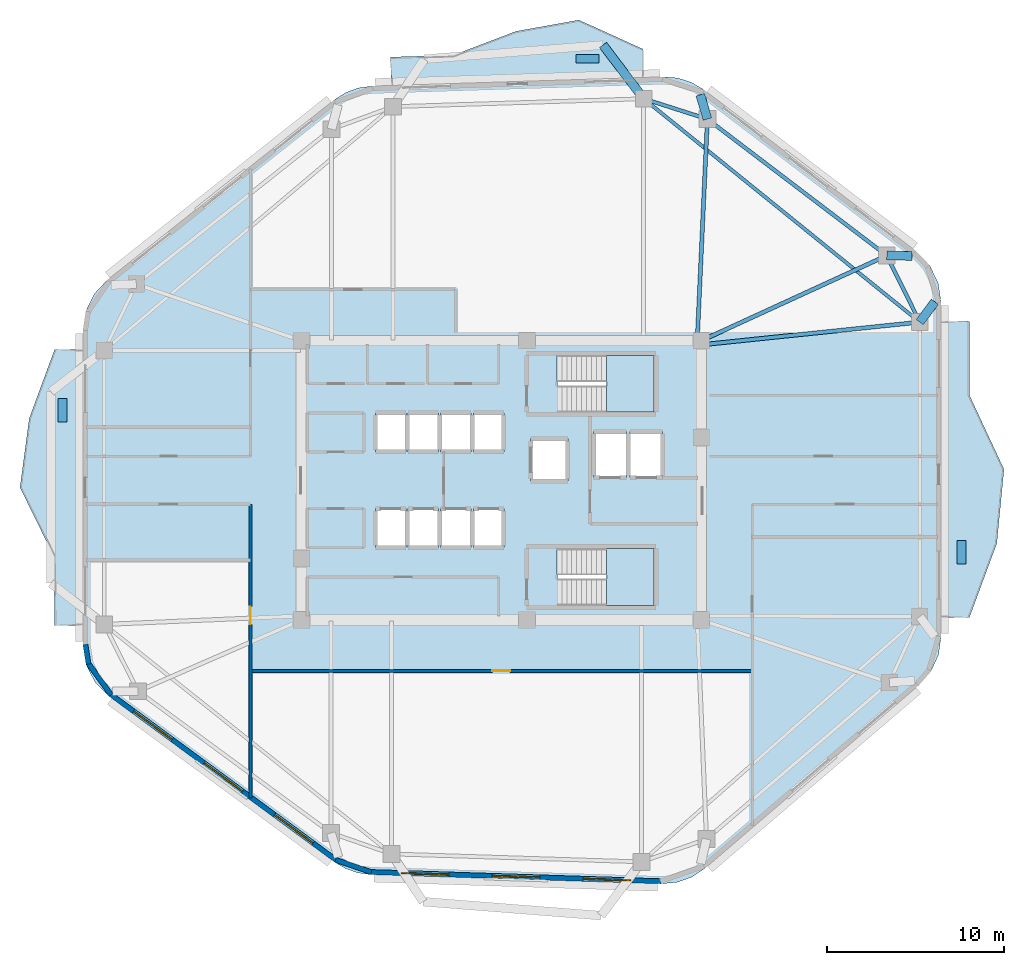
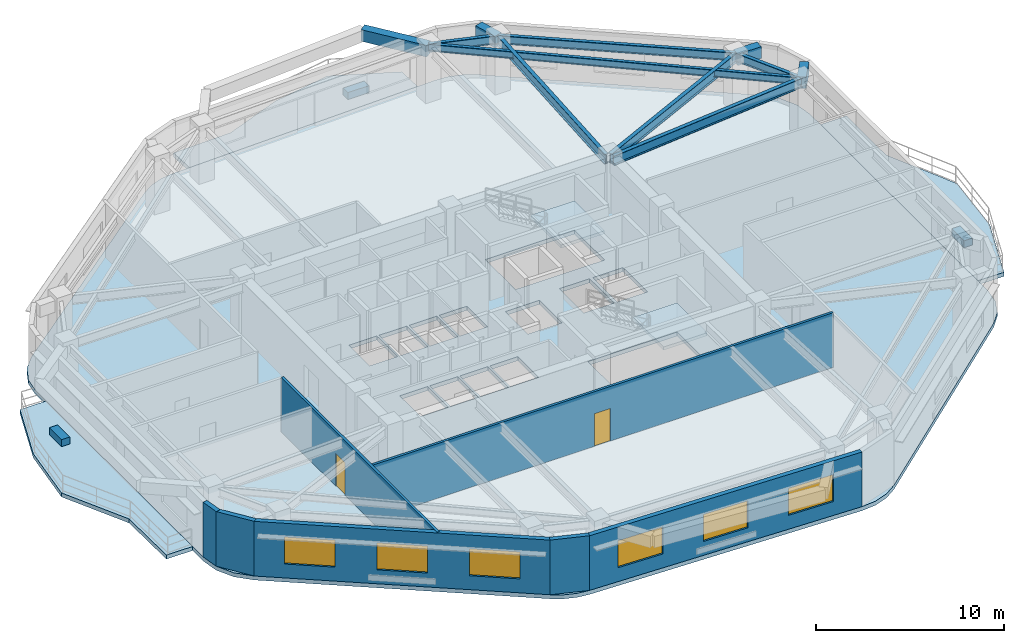
# One storey, part 2 of 8: 11 beams, 7 walls, 6 slabs, 6 windows, 3 plates, 2 doors, 8 openings, 2 elements without a shape of their own.
"""IFC4 building model written with IfcOpenShell, lengths in metres."""

import ifcopenshell
import ifcopenshell.guid

model = None  # the IFC model being written
_history = None  # IfcOwnerHistory: only IFC2X3 demands one
_inside = {}  # id of a spatial element -> (the spatial element, [elements in it])
_under = {}  # id of a project, library or spatial element -> (it, [spatial elements below it])
_declared = {}  # id of a project -> (the project, [libraries it declares])
_typed = {}  # id of a type object -> (the type object, [elements of that type])
_made_of = {}  # id of a material, layer set ... -> (it, [elements and type objects made of it])


def new_model(schema):
    """Start an empty IFC model of exactly this schema.

    Asked for "IFC4X3", IfcOpenShell would pick the latest addendum, in which some entities
    have other attributes; the version numbers below select the first issue.
    IFC2X3 requires an IfcOwnerHistory on every rooted entity: one is made here for all.
    """
    global model, _history
    if schema == "IFC4X3":
        model = ifcopenshell.file(schema_version=(4, 3, 0, 0))
    else:
        model = ifcopenshell.file(schema=schema)
    _inside.clear()
    _under.clear()
    _declared.clear()
    _typed.clear()
    _made_of.clear()
    _history = None
    if model.schema == "IFC2X3":
        org = make("IfcOrganization", Name="unknown")
        user = make(
            "IfcPersonAndOrganization",
            ThePerson=make("IfcPerson", FamilyName="unknown"),
            TheOrganization=org,
        )
        app = make(
            "IfcApplication",
            ApplicationDeveloper=org,
            Version="unknown",
            ApplicationFullName="unknown",
            ApplicationIdentifier="unknown",
        )
        _history = make(
            "IfcOwnerHistory",
            OwningUser=user,
            OwningApplication=app,
            ChangeAction="ADDED",
            CreationDate=0,
        )
    return model


def make(cls, **values):
    """One entity of the class cls with the attributes given. An attribute that is None is left unset."""
    return model.create_entity(
        cls, **{name: value for name, value in values.items() if value is not None}
    )


def rooted(cls, **values):
    """An entity with a GlobalId (a new one), such as an element, a storey or a relation."""
    return make(cls, GlobalId=ifcopenshell.guid.new(), OwnerHistory=_history, **values)


def si_unit(unit_type, name, prefix=None):
    """IfcSIUnit, for example si_unit("LENGTHUNIT", "METRE", prefix="MILLI")."""
    return make("IfcSIUnit", UnitType=unit_type, Prefix=prefix, Name=name)


def assignment(units):
    """IfcUnitAssignment: the units of a project."""
    return None if units is None else make("IfcUnitAssignment", Units=units)


def point(xyz):
    """IfcCartesianPoint."""
    return None if xyz is None else make("IfcCartesianPoint", Coordinates=xyz)


def direction(xyz):
    """IfcDirection."""
    return None if xyz is None else make("IfcDirection", DirectionRatios=xyz)


def frame(location, z_axis=None, x_axis=None):
    """IfcAxis2Placement3D, a coordinate frame: its origin and axes. An axis left out is left unset."""
    return make(
        "IfcAxis2Placement3D",
        Location=point(location),
        Axis=direction(z_axis),
        RefDirection=direction(x_axis),
    )


def frame_2d(location, x_axis=None):
    """IfcAxis2Placement2D, a coordinate frame in the plane: its origin and x axis."""
    return make(
        "IfcAxis2Placement2D", Location=point(location), RefDirection=direction(x_axis)
    )


def origin():
    """The frame at (0, 0, 0) with its axes left unset."""
    return frame((0.0, 0.0, 0.0))


def origin_2d():
    """The frame at (0, 0) in the plane with its x axis left unset."""
    return frame_2d((0.0, 0.0))


def place(relative_to, where):
    """IfcLocalPlacement: puts the frame where relative to a parent placement (None: the world)."""
    return make(
        "IfcLocalPlacement", PlacementRelTo=relative_to, RelativePlacement=where
    )


def context(
    kind, dimensions, precision=None, world=None, true_north=None, identifier=None
):
    """IfcGeometricRepresentationContext, for example the 3D "Model" context."""
    return make(
        "IfcGeometricRepresentationContext",
        ContextIdentifier=identifier,
        ContextType=kind,
        CoordinateSpaceDimension=dimensions,
        Precision=precision,
        WorldCoordinateSystem=world,
        TrueNorth=true_north,
    )


def subcontext(parent, identifier, kind, view, scale=None):
    """IfcGeometricRepresentationSubContext, for example "Body" below "Model"."""
    return make(
        "IfcGeometricRepresentationSubContext",
        ContextIdentifier=identifier,
        ContextType=kind,
        ParentContext=parent,
        TargetScale=scale,
        TargetView=view,
    )


def project(units=None, contexts=None):
    """IfcProject with its units and contexts."""
    return rooted(
        "IfcProject",
        Name="project",
        RepresentationContexts=contexts,
        UnitsInContext=assignment(units),
    )


def spatial(cls, under=None, at=None, **own):
    """A site, building, storey or space (cls), placed at a placement, below another one or the project."""
    s = rooted(cls, ObjectPlacement=at, **own)
    if under is not None:
        _under.setdefault(under.id(), (under, []))[1].append(s)
    return s


def polyline(points):
    """IfcPolyline through the points."""
    return make("IfcPolyline", Points=[point(p) for p in points])


def profile(cls, at=None, kind="AREA", **sizes):
    """A parametric profile (cls). Its sizes go by their IFC names, for example OverallWidth=200.0."""
    return make(cls, ProfileType=kind, Position=at, **sizes)


def rectangle(**sizes):
    """IfcRectangleProfileDef."""
    return profile("IfcRectangleProfileDef", **sizes)


def i_section(**sizes):
    """IfcIShapeProfileDef."""
    return profile("IfcIShapeProfileDef", **sizes)


def outline(outer, holes=None, kind="AREA"):
    """IfcArbitraryClosedProfileDef: a profile drawn as a closed curve; with holes, ...WithVoids."""
    if holes is None:
        return make("IfcArbitraryClosedProfileDef", ProfileType=kind, OuterCurve=outer)
    return make(
        "IfcArbitraryProfileDefWithVoids",
        ProfileType=kind,
        OuterCurve=outer,
        InnerCurves=holes,
    )


def extrude(swept, where, along, depth):
    """IfcExtrudedAreaSolid: the profile swept, set in the frame where, extruded along a direction by depth."""
    return make(
        "IfcExtrudedAreaSolid",
        SweptArea=swept,
        Position=where,
        ExtrudedDirection=direction(along),
        Depth=depth,
    )


def shape(context_of_items, identifier, shape_type, items):
    """IfcShapeRepresentation: the items that make up one representation, for example the "Body"."""
    return make(
        "IfcShapeRepresentation",
        ContextOfItems=context_of_items,
        RepresentationIdentifier=identifier,
        RepresentationType=shape_type,
        Items=items,
    )


def material(Name=None, Category=None):
    """IfcMaterial."""
    return make("IfcMaterial", Name=Name, Category=Category)


def layer(
    of_material, thickness, ventilated=None, Name=None, Category=None, Priority=None
):
    """IfcMaterialLayer: one layer of a wall or slab, of a material (None: an air gap)."""
    return make(
        "IfcMaterialLayer",
        Material=of_material,
        LayerThickness=thickness,
        IsVentilated=ventilated,
        Name=Name,
        Category=Category,
        Priority=Priority,
    )


def layer_set(layers, Name=None):
    """IfcMaterialLayerSet."""
    return make("IfcMaterialLayerSet", MaterialLayers=layers, LayerSetName=Name)


def material_profile(
    of_material, cross_section, Name=None, Category=None, Priority=None
):
    """IfcMaterialProfile: a cross section and its material."""
    return make(
        "IfcMaterialProfile",
        Name=Name,
        Material=of_material,
        Profile=cross_section,
        Priority=Priority,
        Category=Category,
    )


def profile_set(profiles, Name=None, composite=None):
    """IfcMaterialProfileSet."""
    return make(
        "IfcMaterialProfileSet",
        Name=Name,
        MaterialProfiles=profiles,
        CompositeProfile=composite,
    )


def made_of(thing, what):
    """Note that an element or type object is made of a material, layer set ...; save() writes the relation."""
    if what is not None:
        _made_of.setdefault(what.id(), (what, []))[1].append(thing)
    return thing


def type_object(cls, material=None, **own):
    """A type object (cls), such as IfcWallType, which elements share."""
    return made_of(rooted(cls, **own), material)


def element(
    cls,
    number,
    at=None,
    inside=None,
    cuts=None,
    type_object=None,
    material=None,
    context=None,
    identifier="Body",
    shape_type=None,
    held_by="IfcProductDefinitionShape",
    body=None,
    shapes=None,
    **own,
):
    """One element of the class cls, such as IfcWall. Its Tag is "e" and its number.

    at: its placement. inside: the storey or other place that contains it. cuts: it is an
    opening in that element (IfcRelVoidsElement). A single representation is given by context,
    identifier, shape_type and body (its items); several are given by shapes. held_by: the class
    of the entity that holds the representations. save() writes the other relations.
    """
    e = rooted(cls, Tag="e%d" % number, ObjectPlacement=at, **own)
    if body is not None:
        shapes = [shape(context, identifier, shape_type, body)]
    if shapes is not None:
        e.Representation = make(held_by, Representations=shapes)
    if inside is not None:
        _inside.setdefault(inside.id(), (inside, []))[1].append(e)
    if cuts is not None:
        rooted(
            "IfcRelVoidsElement", RelatingBuildingElement=cuts, RelatedOpeningElement=e
        )
    if type_object is not None:
        _typed.setdefault(type_object.id(), (type_object, []))[1].append(e)
    return made_of(e, material)


def fill(opening, filler):
    """IfcRelFillsElement: the door or window that sits in an opening."""
    return rooted(
        "IfcRelFillsElement",
        RelatingOpeningElement=opening,
        RelatedBuildingElement=filler,
    )


def aggregate(whole, parts):
    """IfcRelAggregates: a whole, such as a stair, and the parts it consists of."""
    return rooted("IfcRelAggregates", RelatingObject=whole, RelatedObjects=parts)


def save(model, path):
    """Write the relations noted so far, then the file.

    IfcRelAggregates (storeys below a building ...), IfcRelContainedInSpatialStructure (elements
    in a storey), IfcRelDefinesByType, IfcRelAssociatesMaterial and IfcRelDeclares: one each for
    every whole, place, type object, material and project.
    """
    for whole, parts in _under.values():
        aggregate(whole, parts)
    for where, things in _inside.values():
        rooted(
            "IfcRelContainedInSpatialStructure",
            RelatedElements=things,
            RelatingStructure=where,
        )
    for kind, things in _typed.values():
        rooted("IfcRelDefinesByType", RelatedObjects=things, RelatingType=kind)
    for what, things in _made_of.values():
        rooted("IfcRelAssociatesMaterial", RelatedObjects=things, RelatingMaterial=what)
    for by, libraries in _declared.values():
        rooted("IfcRelDeclares", RelatingContext=by, RelatedDefinitions=libraries)
    model.write(path)


model = new_model("IFC4")

# Units and contexts
model_context = context("Model", 3, precision=1e-05, world=origin(), true_north=direction((0.0, 1.0)))
body_context = subcontext(model_context, "Body", "Model", "MODEL_VIEW")
ifc_project = project(units=[si_unit("LENGTHUNIT", "METRE"), si_unit("AREAUNIT", "SQUARE_METRE"), si_unit("VOLUMEUNIT", "CUBIC_METRE"), si_unit("PLANEANGLEUNIT", "RADIAN"), si_unit("MASSUNIT", "GRAM", prefix="KILO")], contexts=[model_context])

# Site, building, storey
site_placement = place(None, origin())
site = spatial("IfcSite", under=ifc_project, at=site_placement, CompositionType="ELEMENT")
building_placement = place(site_placement, origin())
building = spatial("IfcBuilding", under=site, at=building_placement, Name="Zulverin Broadcast Headquarters", CompositionType="ELEMENT")
storey_placement = place(building_placement, frame((0.0, 0.0, 174.39990234375)))
storey = spatial("IfcBuildingStorey", under=building, at=storey_placement, Name="L44", CompositionType="ELEMENT", Elevation=174.39990234375)

# Beams
ifc_material_1 = material(Name="Concrete C40/50", Category="concrete")
ifc_material_profile_1 = material_profile(ifc_material_1, rectangle(XDim=0.5, YDim=0.75, at=origin_2d()), Name="Concrete C40/50", Category="concrete")
ifc_profile_set_1 = profile_set([ifc_material_profile_1], Name="Concrete C40/50")
beam_type_1 = type_object("IfcBeamType", Name="BM-RC-500x750", PredefinedType="BEAM", material=ifc_profile_set_1)
beam_1_placement = place(storey_placement, frame((60.60009765625, 34.12158203125, 3.1650390625), z_axis=(0.594357454608, 0.80420097995, 0.0), x_axis=(-0.80420097995, 0.594357454608, 0.0)))
element("IfcBeam", 1, at=beam_1_placement, inside=storey, type_object=beam_type_1, Name="L45 Plate Overhang Back-Spanned Beam OVR-06", PredefinedType="BEAM", context=body_context, shape_type="SweptSolid", body=[
    extrude(rectangle(XDim=0.5, YDim=0.75, at=origin_2d()), origin(), (0.0, 0.0, 1.0), 1.429931640625),
])
for number, where, z_axis, x_axis, name in (
    (2, (58.738037109375, 37.877685546875, 3.1650390625), (0.99990438472, -0.013828283279, 0.0), (0.013828283279, 0.99990438472, 0.0), "L45 Plate Overhang Back-Spanned Beam OVR-07"),
    (3, (48.62158203125, 45.574951171875, 3.1650390625), (-0.28015077605, 0.959956010804, 0.0), (-0.959956010804, -0.28015077605, 0.0), "L45 Plate Overhang Back-Spanned Beam OVR-08"),
):
    element("IfcBeam", number, at=place(storey_placement, frame(where, z_axis=z_axis, x_axis=x_axis)), inside=storey, type_object=beam_type_1, Name=name, PredefinedType="BEAM", context=body_context, shape_type="SweptSolid", body=[
        extrude(rectangle(XDim=0.5, YDim=0.75, at=origin_2d()), origin(), (0.0, 0.0, 1.0), 1.43017578125),
    ])
beam_2_placement = place(storey_placement, frame((45.027587890625, 46.7236328125, 3.1650390625), z_axis=(-0.603735220489, 0.797184911762, 0.0), x_axis=(-0.797184911762, -0.603735220489, 0.0)))
element("IfcBeam", 4, at=beam_2_placement, inside=storey, type_object=beam_type_1, Name="L45 Balcony Column-Framed Cantilever BAL_N-1", PredefinedType="BEAM", context=body_context, shape_type="SweptSolid", body=[
    extrude(rectangle(XDim=0.5, YDim=0.75, at=origin_2d()), origin(), (0.0, 0.0, 1.0), 3.800048828125),
])
ifc_material_2 = material(Name="Structural steel S355JR", Category="steel")
ifc_material_profile_2 = material_profile(ifc_material_2, i_section(OverallWidth=0.19287109375, OverallDepth=0.46728515625, WebThickness=0.011474609375, FlangeThickness=0.01953125, at=origin_2d()), Name="Structural steel S355JR", Category="steel")
ifc_profile_set_2 = profile_set([ifc_material_profile_2], Name="Structural steel S355JR")
beam_type_2 = type_object("IfcBeamType", Name="BM-UB-457", PredefinedType="JOIST", material=ifc_profile_set_2)
beam_3_placement = place(storey_placement, frame((60.60009765625, 34.12158203125, 3.306396484375), z_axis=(-0.777349017335, 0.629069555175, 0.0), x_axis=(-0.629069555175, -0.777349017335, 0.0)))
element("IfcBeam", 5, at=beam_3_placement, inside=storey, type_object=beam_type_2, Name="L44 Chordal Floor Joist J-02", PredefinedType="JOIST", context=body_context, shape_type="SweptSolid", body=[
    extrude(i_section(OverallWidth=0.19287109375, OverallDepth=0.46728515625, WebThickness=0.011474609375, FlangeThickness=0.01953125, at=origin_2d()), origin(), (0.0, 0.0, 1.0), 20.032958984375),
])
ifc_material_profile_3 = material_profile(ifc_material_2, i_section(OverallWidth=0.2119140625, OverallDepth=0.54443359375, WebThickness=0.0126953125, FlangeThickness=0.021240234375, at=origin_2d()), Name="Structural steel S355JR", Category="steel")
ifc_profile_set_3 = profile_set([ifc_material_profile_3], Name="Structural steel S355JR")
beam_type_3 = type_object("IfcBeamType", Name="BM-UB-533", PredefinedType="SPANDREL", material=ifc_profile_set_3)
beam_4_placement = place(storey_placement, frame((60.60009765625, 34.12158203125, 3.267822265625), z_axis=(-0.444159471033, 0.895947746407, 0.0), x_axis=(-0.895947746407, -0.444159471033, 0.0)))
element("IfcBeam", 6, at=beam_4_placement, inside=storey, type_object=beam_type_3, Name="L44 Perimeter Spandrel Beam SP-06", PredefinedType="SPANDREL", context=body_context, shape_type="SweptSolid", body=[
    extrude(i_section(OverallWidth=0.2119140625, OverallDepth=0.54443359375, WebThickness=0.0126953125, FlangeThickness=0.021240234375, at=origin_2d()), origin(), (0.0, 0.0, 1.0), 4.1923828125),
])
beam_5_placement = place(storey_placement, frame((58.738037109375, 37.877685546875, 3.267822265625), z_axis=(-0.795830102505, 0.60551998146, 0.0), x_axis=(-0.60551998146, -0.795830102505, 0.0)))
element("IfcBeam", 7, at=beam_5_placement, inside=storey, type_object=beam_type_3, Name="L44 Perimeter Spandrel Beam SP-07", PredefinedType="SPANDREL", context=body_context, shape_type="SweptSolid", body=[
    extrude(i_section(OverallWidth=0.2119140625, OverallDepth=0.54443359375, WebThickness=0.0126953125, FlangeThickness=0.021240234375, at=origin_2d()), origin(), (0.0, 0.0, 1.0), 12.7119140625),
])
beam_6_placement = place(storey_placement, frame((48.62158203125, 45.574951171875, 3.267822265625), z_axis=(-0.952531523781, 0.304439971428, 0.0), x_axis=(-0.304439971428, -0.952531523781, 0.0)))
element("IfcBeam", 8, at=beam_6_placement, inside=storey, type_object=beam_type_3, Name="L44 Perimeter Spandrel Beam SP-08", PredefinedType="SPANDREL", context=body_context, shape_type="SweptSolid", body=[
    extrude(i_section(OverallWidth=0.2119140625, OverallDepth=0.54443359375, WebThickness=0.0126953125, FlangeThickness=0.021240234375, at=origin_2d()), origin(), (0.0, 0.0, 1.0), 3.773193359375),
])
ifc_material_profile_4 = material_profile(ifc_material_2, i_section(OverallWidth=0.230224609375, OverallDepth=0.6171875, WebThickness=0.01318359375, FlangeThickness=0.022216796875, at=origin_2d()), Name="Structural steel S355JR", Category="steel")
ifc_profile_set_4 = profile_set([ifc_material_profile_4], Name="Structural steel S355JR")
beam_type_4 = type_object("IfcBeamType", Name="BM-UB-610", PredefinedType="BEAM", material=ifc_profile_set_4)
beam_7_placement = place(storey_placement, frame((48.324951171875, 32.85009765625, 3.2314453125), z_axis=(0.994678169641, 0.103030766473, 0.0), x_axis=(-0.103030766473, 0.994678169641, 0.0)))
element("IfcBeam", 9, at=beam_7_placement, inside=storey, type_object=beam_type_4, Name="L44 Radial Primary Floor Beam RB-06", PredefinedType="BEAM", context=body_context, shape_type="SweptSolid", body=[
    extrude(i_section(OverallWidth=0.230224609375, OverallDepth=0.6171875, WebThickness=0.01318359375, FlangeThickness=0.022216796875, at=origin_2d()), origin(), (0.0, 0.0, 1.0), 12.3408203125),
])
beam_8_placement = place(storey_placement, frame((48.27490234375, 33.074951171875, 3.2314453125), z_axis=(0.90883007293, 0.417166511764, 0.0), x_axis=(-0.417166511764, 0.90883007293, 0.0)))
element("IfcBeam", 10, at=beam_8_placement, inside=storey, type_object=beam_type_4, Name="L44 Radial Primary Floor Beam RB-07", PredefinedType="BEAM", context=body_context, shape_type="SweptSolid", body=[
    extrude(i_section(OverallWidth=0.230224609375, OverallDepth=0.6171875, WebThickness=0.01318359375, FlangeThickness=0.022216796875, at=origin_2d()), origin(), (0.0, 0.0, 1.0), 11.5126953125),
])
beam_9_placement = place(storey_placement, frame((48.050048828125, 33.125, 3.2314453125), z_axis=(0.045858166026, 0.998947960911, 0.0), x_axis=(-0.998947960911, 0.045858166026, 0.0)))
element("IfcBeam", 11, at=beam_9_placement, inside=storey, type_object=beam_type_4, Name="L44 Radial Primary Floor Beam RB-08", PredefinedType="BEAM", context=body_context, shape_type="SweptSolid", body=[
    extrude(i_section(OverallWidth=0.230224609375, OverallDepth=0.6171875, WebThickness=0.01318359375, FlangeThickness=0.022216796875, at=origin_2d()), origin(), (0.0, 0.0, 1.0), 12.463134765625),
])

# Plates
ifc_material_3 = material(Name="Precast concrete C45/55", Category="concrete")
ifc_layer_1 = layer(ifc_material_3, 0.449951171875, Name="Precast concrete C45/55", Category="concrete")
ifc_layer_set_1 = layer_set([ifc_layer_1], Name="Precast concrete C45/55")
plate_type = type_object("IfcPlateType", Name="PT-01_PRECAST_GFRC_TREE_PLANTER", PredefinedType="USERDEFINED", material=ifc_layer_set_1)
for number, where, z_axis, x_axis, name in (
    (12, (62.949951171875, 21.143798828125, -0.0048828125), (0.0, 0.0, 1.0), (0.0, 1.0, 0.0), "L44 Precast GFRC Tree Planter BAL_E"),
    (13, (41.869140625, 48.974609375, -0.0048828125), (0.0, 0.0, 1.0), (1.0, 0.0, 0.0), "L44 Precast GFRC Tree Planter BAL_N"),
    (14, (12.25, 29.15185546875, -0.0048828125), (0.0, 0.0, 1.0), (0.0, 1.0, 0.0), "L44 Precast GFRC Tree Planter BAL_W"),
):
    element("IfcPlate", number, at=place(storey_placement, frame(where, z_axis=z_axis, x_axis=x_axis)), inside=storey, type_object=plate_type, Name=name, ObjectType="PLANTER", PredefinedType="USERDEFINED", context=body_context, shape_type="SweptSolid", body=[
        extrude(rectangle(XDim=1.300048828125, YDim=0.5, at=origin_2d()), origin(), (0.0, 0.0, 1.0), 0.449951171875),
    ])

# Slabs
ifc_layer_2 = layer(ifc_material_1, 0.260009765625, Name="Concrete C40/50", Category="concrete")
ifc_layer_set_2 = layer_set([ifc_layer_2], Name="Concrete C40/50")
slab_type_1 = type_object("IfcSlabType", Name="SLB-BAL-260", PredefinedType="FLOOR", material=ifc_layer_set_2)
slab_1_placement = place(storey_placement, frame((0.0, 0.0, -0.260009765625)))
element("IfcSlab", 15, at=slab_1_placement, inside=storey, type_object=slab_type_1, Name="L44 Cantilevered Planted Balcony Slab BAL_E", PredefinedType="FLOOR", context=body_context, shape_type="SweptSolid", body=[
    extrude(outline(polyline([(61.800048828125, 34.17138671875), (61.800048828125, 17.46923828125), (63.39990234375, 17.46923828125), (64.9443359375, 21.644775390625), (65.35009765625, 25.8203125), (63.39990234375, 29.995849609375), (63.39990234375, 34.17138671875), (61.800048828125, 34.17138671875)])), origin(), (0.0, 0.0, 1.0), 0.260009765625),
])
slab_2_placement = place(storey_placement, frame((0.0, 0.0, -0.260009765625)))
element("IfcSlab", 16, at=slab_2_placement, inside=storey, type_object=slab_type_1, Name="L44 Cantilevered Planted Balcony Slab BAL_N", PredefinedType="FLOOR", context=body_context, shape_type="SweptSolid", body=[
    extrude(outline(polyline([(30.794189453125, 47.47265625), (45.03955078125, 47.924560546875), (44.98876953125, 49.523681640625), (41.371826171875, 51.163818359375), (37.8271484375, 50.527099609375), (34.3046875, 49.184814453125), (30.743408203125, 49.072021484375), (30.794189453125, 47.47265625)])), origin(), (0.0, 0.0, 1.0), 0.260009765625),
])
slab_3_placement = place(storey_placement, frame((0.0, 0.0, -0.260009765625)))
element("IfcSlab", 17, at=slab_3_placement, inside=storey, type_object=slab_type_1, Name="L44 Cantilevered Planted Balcony Slab BAL_W", PredefinedType="FLOOR", context=body_context, shape_type="SweptSolid", body=[
    extrude(outline(polyline([(13.39990234375, 17.02197265625), (13.39990234375, 32.5732421875), (11.800048828125, 32.5732421875), (10.368408203125, 28.685302734375), (9.85009765625, 24.797607421875), (11.758056640625, 20.90966796875), (11.800048828125, 17.02197265625), (13.39990234375, 17.02197265625)])), origin(), (0.0, 0.0, 1.0), 0.260009765625),
])

# Stair, slab
stair_type = type_object("IfcStairType", Name="ST-CORE-1500", PredefinedType="HALF_TURN_STAIR", material=ifc_material_1)
stair_1_placement = place(storey_placement, origin())
stair_1 = element("IfcStair", 18, at=stair_1_placement, inside=storey, type_object=stair_type, Name="L44 Core Exit Stair ST-1", PredefinedType="HALF_TURN_STAIR")
ifc_layer_3 = layer(ifc_material_1, 0.199951171875, Name="Concrete C40/50", Category="concrete")
ifc_layer_set_3 = layer_set([ifc_layer_3], Name="Concrete C40/50")
slab_type_2 = type_object("IfcSlabType", Name="SLB-ST-LND200", PredefinedType="LANDING", material=ifc_layer_set_3)
slab_4_placement = place(storey_placement, frame((0.0, 0.0, 1.7001953125)))
slab_4 = element("IfcSlab", 19, at=slab_4_placement, type_object=slab_type_2, Name="ST-1 landing 1", PredefinedType="LANDING", context=body_context, shape_type="SweptSolid", body=[
    extrude(outline(polyline([(42.929931640625, 29.050048828125), (45.60009765625, 29.050048828125), (45.60009765625, 32.25), (42.929931640625, 32.25), (42.929931640625, 29.050048828125)])), origin(), (0.0, 0.0, 1.0), 0.199951171875),
])
aggregate(stair_1, [slab_4])

stair_2_placement = place(storey_placement, origin())
stair_2 = element("IfcStair", 20, at=stair_2_placement, inside=storey, type_object=stair_type, Name="L44 Core Exit Stair ST-2", PredefinedType="HALF_TURN_STAIR")
slab_5_placement = place(storey_placement, frame((0.0, 0.0, 1.7001953125)))
slab_5 = element("IfcSlab", 21, at=slab_5_placement, type_object=slab_type_2, Name="ST-2 landing 1", PredefinedType="LANDING", context=body_context, shape_type="SweptSolid", body=[
    extrude(outline(polyline([(42.929931640625, 18.14990234375), (45.60009765625, 18.14990234375), (45.60009765625, 21.35009765625), (42.929931640625, 21.35009765625), (42.929931640625, 18.14990234375)])), origin(), (0.0, 0.0, 1.0), 0.199951171875),
])
aggregate(stair_2, [slab_5])

# Slab
ifc_layer_4 = layer(ifc_material_1, 0.260009765625, Name="Concrete C40/50", Category="concrete")
ifc_layer_set_4 = layer_set([ifc_layer_4], Name="Concrete C40/50")
slab_type_3 = type_object("IfcSlabType", Name="SLB-TWR-260", PredefinedType="FLOOR", material=ifc_layer_set_4)
slab_6_placement = place(storey_placement, frame((0.0, 0.0, -0.260009765625)))
element("IfcSlab", 22, at=slab_6_placement, inside=storey, type_object=slab_type_3, Name="L44 Main Structural Floor Slab", PredefinedType="FLOOR", context=body_context, shape_type="SweptSolid", body=[
    extrude(outline(polyline([(27.603515625, 3.661865234375), (28.224365234375, 3.295166015625), (28.906005859375, 3.0595703125), (29.62109375, 2.964599609375), (46.02099609375, 2.4443359375), (46.902587890625, 2.525146484375), (47.738037109375, 2.81884765625), (48.476318359375, 3.3076171875), (60.541015625, 13.63427734375), (61.220703125, 14.41064453125), (61.652099609375, 15.34814453125), (61.800048828125, 16.369384765625), (61.800048828125, 35.271484375), (61.6318359375, 36.358642578125), (61.143310546875, 37.344482421875), (60.3798828125, 38.136474609375), (48.432861328125, 47.226318359375), (47.73095703125, 47.643798828125), (46.952880859375, 47.892578125), (46.138916015625, 47.95947265625), (29.694580078125, 47.437744140625), (28.9365234375, 47.332275390625), (28.2177734375, 47.06884765625), (27.57080078125, 46.659423828125), (14.761962890625, 36.492919921875), (14.02880859375, 35.705810546875), (13.560791015625, 34.737060546875), (13.39990234375, 33.673095703125), (13.39990234375, 15.921875), (13.57421875, 14.815673828125), (14.079833984375, 13.81640625), (14.8681640625, 13.02099609375), (27.603515625, 3.661865234375)]), holes=[polyline([(40.155029296875, 30.75), (40.130126953125, 30.75), (40.130126953125, 32.25), (45.60009765625, 32.25), (45.60009765625, 29.050048828125), (40.155029296875, 29.050048828125), (40.155029296875, 30.75)]), polyline([(40.155029296875, 19.85009765625), (40.130126953125, 19.85009765625), (40.130126953125, 21.35009765625), (45.60009765625, 21.35009765625), (45.60009765625, 18.14990234375), (40.155029296875, 18.14990234375), (40.155029296875, 19.85009765625)]), polyline([(29.89990234375, 21.39990234375), (31.6201171875, 21.39990234375), (31.6201171875, 23.60009765625), (29.89990234375, 23.60009765625), (29.89990234375, 21.39990234375)]), polyline([(31.739990234375, 21.39990234375), (33.4599609375, 21.39990234375), (33.4599609375, 23.60009765625), (31.739990234375, 23.60009765625), (31.739990234375, 21.39990234375)]), polyline([(33.580078125, 21.39990234375), (35.300048828125, 21.39990234375), (35.300048828125, 23.60009765625), (33.580078125, 23.60009765625), (33.580078125, 21.39990234375)]), polyline([(35.419921875, 21.39990234375), (37.139892578125, 21.39990234375), (37.139892578125, 23.60009765625), (35.419921875, 23.60009765625), (35.419921875, 21.39990234375)]), polyline([(29.89990234375, 26.800048828125), (31.6201171875, 26.800048828125), (31.6201171875, 29.0), (29.89990234375, 29.0), (29.89990234375, 26.800048828125)]), polyline([(31.739990234375, 26.800048828125), (33.4599609375, 26.800048828125), (33.4599609375, 29.0), (31.739990234375, 29.0), (31.739990234375, 26.800048828125)]), polyline([(33.580078125, 26.800048828125), (35.300048828125, 26.800048828125), (35.300048828125, 29.0), (33.580078125, 29.0), (33.580078125, 26.800048828125)]), polyline([(35.419921875, 26.800048828125), (37.139892578125, 26.800048828125), (37.139892578125, 29.0), (35.419921875, 29.0), (35.419921875, 26.800048828125)]), polyline([(42.199951171875, 25.35009765625), (44.050048828125, 25.35009765625), (44.050048828125, 27.949951171875), (42.199951171875, 27.949951171875), (42.199951171875, 25.35009765625)]), polyline([(44.25, 25.35009765625), (46.10009765625, 25.35009765625), (46.10009765625, 27.949951171875), (44.25, 27.949951171875), (44.25, 25.35009765625)]), polyline([(38.64990234375, 25.14990234375), (40.75, 25.14990234375), (40.75, 27.550048828125), (38.64990234375, 27.550048828125), (38.64990234375, 25.14990234375)])]), origin(), (0.0, 0.0, 1.0), 0.260009765625),
])

# Wall, openings, windows
ifc_material_4 = material(Name="Insulated pale-metal clad concrete spandrel C40/50", Category="concrete")
ifc_layer_5 = layer(ifc_material_4, 0.280029296875, Name="Insulated pale-metal clad concrete spandrel C40/50", Category="concrete")
ifc_layer_set_5 = layer_set([ifc_layer_5], Name="Insulated pale-metal clad concrete spandrel C40/50")
wall_type_1 = type_object("IfcWallType", Name="WL-EXT-280", PredefinedType="STANDARD", material=ifc_layer_set_5)
wall_1_placement = place(storey_placement, frame((29.62548828125, 3.1044921875, 0.0), z_axis=(0.0, 0.0, 1.0), x_axis=(0.99949718661, -0.031707632487, 0.0)))
wall_1 = element("IfcWall", 23, at=wall_1_placement, inside=storey, type_object=wall_type_1, Name="L44 Pale-Metal Clad Spandrel Wall 1", PredefinedType="STANDARD", context=body_context, shape_type="SweptSolid", body=[
    extrude(rectangle(XDim=16.408203125, YDim=0.280029296875, at=frame_2d((8.2041015625, 0.0))), origin(), (0.0, 0.0, 1.0), 3.5400390625),
])
opening_1_placement = place(wall_1_placement, frame((1.718017578125, 0.0, 0.89990234375)))
opening_1 = element("IfcOpeningElement", 24, at=opening_1_placement, cuts=wall_1, Name="Opening W-L44-E11", PredefinedType="OPENING", context=body_context, shape_type="SweptSolid", body=[
    extrude(rectangle(XDim=2.699951171875, YDim=1.75, at=frame_2d((1.35009765625, 0.875))), frame((0.0, 0.14990234375, 0.0), z_axis=(0.0, -1.0, 0.0), x_axis=(1.0, 0.0, 0.0)), (0.0, 0.0, 1.0), 0.300048828125),
])
opening_2_placement = place(wall_1_placement, frame((6.85400390625, 0.0, 0.89990234375)))
opening_2 = element("IfcOpeningElement", 25, at=opening_2_placement, cuts=wall_1, Name="Opening W-L44-E12", PredefinedType="OPENING", context=body_context, shape_type="SweptSolid", body=[
    extrude(rectangle(XDim=2.699951171875, YDim=1.75, at=frame_2d((1.35009765625, 0.875))), frame((0.0, 0.14990234375, 0.0), z_axis=(0.0, -1.0, 0.0), x_axis=(1.0, 0.0, 0.0)), (0.0, 0.0, 1.0), 0.300048828125),
])
opening_3_placement = place(wall_1_placement, frame((11.990234375, 0.0, 0.89990234375)))
opening_3 = element("IfcOpeningElement", 26, at=opening_3_placement, cuts=wall_1, Name="Opening W-L44-E13", PredefinedType="OPENING", context=body_context, shape_type="SweptSolid", body=[
    extrude(rectangle(XDim=2.699951171875, YDim=1.75, at=frame_2d((1.35009765625, 0.875))), frame((0.0, 0.14990234375, 0.0), z_axis=(0.0, -1.0, 0.0), x_axis=(1.0, 0.0, 0.0)), (0.0, 0.0, 1.0), 0.300048828125),
])
ifc_material_5 = material(Name="Pale anodized aluminium frame with solar-control low-E double glazing", Category="aluminium")
window_type = type_object("IfcWindowType", Name="WIN-TWR-2700", PartitioningType="SINGLE_PANEL", PredefinedType="WINDOW", material=ifc_material_5)
window_1_placement = place(opening_1_placement, origin())
window_1 = element("IfcWindow", 27, at=window_1_placement, inside=storey, type_object=window_type, Name="L44 Ribbon Glazing Window 1 1", OverallHeight=1.75, OverallWidth=2.699951171875, PartitioningType="SINGLE_PANEL", PredefinedType="WINDOW", context=body_context, shape_type="SweptSolid", body=[
    extrude(rectangle(XDim=2.699951171875, YDim=1.75, at=frame_2d((1.35009765625, 0.875))), frame((0.0, 0.030029296875, 0.0), z_axis=(0.0, -1.0, 0.0), x_axis=(1.0, 0.0, 0.0)), (0.0, 0.0, 1.0), 0.06005859375),
])
fill(opening_1, window_1)
window_2_placement = place(opening_2_placement, origin())
window_2 = element("IfcWindow", 28, at=window_2_placement, inside=storey, type_object=window_type, Name="L44 Ribbon Glazing Window 1 2", OverallHeight=1.75, OverallWidth=2.699951171875, PartitioningType="SINGLE_PANEL", PredefinedType="WINDOW", context=body_context, shape_type="SweptSolid", body=[
    extrude(rectangle(XDim=2.699951171875, YDim=1.75, at=frame_2d((1.35009765625, 0.875))), frame((0.0, 0.030029296875, 0.0), z_axis=(0.0, -1.0, 0.0), x_axis=(1.0, 0.0, 0.0)), (0.0, 0.0, 1.0), 0.06005859375),
])
fill(opening_2, window_2)
window_3_placement = place(opening_3_placement, origin())
window_3 = element("IfcWindow", 29, at=window_3_placement, inside=storey, type_object=window_type, Name="L44 Ribbon Glazing Window 1 3", OverallHeight=1.75, OverallWidth=2.699951171875, PartitioningType="SINGLE_PANEL", PredefinedType="WINDOW", context=body_context, shape_type="SweptSolid", body=[
    extrude(rectangle(XDim=2.699951171875, YDim=1.75, at=frame_2d((1.35009765625, 0.875))), frame((0.0, 0.030029296875, 0.0), z_axis=(0.0, -1.0, 0.0), x_axis=(1.0, 0.0, 0.0)), (0.0, 0.0, 1.0), 0.06005859375),
])
fill(opening_3, window_3)

wall_2_placement = place(storey_placement, frame((14.950927734375, 13.1337890625, 0.0), z_axis=(0.0, 0.0, 1.0), x_axis=(0.805804940328, -0.592181051827, 0.0)))
wall_2 = element("IfcWall", 30, at=wall_2_placement, inside=storey, type_object=wall_type_1, Name="L44 Pale-Metal Clad Spandrel Wall 8", PredefinedType="STANDARD", context=body_context, shape_type="SweptSolid", body=[
    extrude(rectangle(XDim=15.804443359375, YDim=0.280029296875, at=frame_2d((7.90234375, 0.0))), origin(), (0.0, 0.0, 1.0), 3.5400390625),
])
opening_4_placement = place(wall_2_placement, frame((1.617431640625, 0.0, 0.89990234375)))
opening_4 = element("IfcOpeningElement", 31, at=opening_4_placement, cuts=wall_2, Name="Opening W-L44-E81", PredefinedType="OPENING", context=body_context, shape_type="SweptSolid", body=[
    extrude(rectangle(XDim=2.699951171875, YDim=1.75, at=frame_2d((1.35009765625, 0.875))), frame((0.0, 0.14990234375, 0.0), z_axis=(0.0, -1.0, 0.0), x_axis=(1.0, 0.0, 0.0)), (0.0, 0.0, 1.0), 0.300048828125),
])
opening_5_placement = place(wall_2_placement, frame((6.55224609375, 0.0, 0.89990234375)))
opening_5 = element("IfcOpeningElement", 32, at=opening_5_placement, cuts=wall_2, Name="Opening W-L44-E82", PredefinedType="OPENING", context=body_context, shape_type="SweptSolid", body=[
    extrude(rectangle(XDim=2.699951171875, YDim=1.75, at=frame_2d((1.35009765625, 0.875))), frame((0.0, 0.14990234375, 0.0), z_axis=(0.0, -1.0, 0.0), x_axis=(1.0, 0.0, 0.0)), (0.0, 0.0, 1.0), 0.300048828125),
])
opening_6_placement = place(wall_2_placement, frame((11.487060546875, 0.0, 0.89990234375)))
opening_6 = element("IfcOpeningElement", 33, at=opening_6_placement, cuts=wall_2, Name="Opening W-L44-E83", PredefinedType="OPENING", context=body_context, shape_type="SweptSolid", body=[
    extrude(rectangle(XDim=2.699951171875, YDim=1.75, at=frame_2d((1.35009765625, 0.875))), frame((0.0, 0.14990234375, 0.0), z_axis=(0.0, -1.0, 0.0), x_axis=(1.0, 0.0, 0.0)), (0.0, 0.0, 1.0), 0.300048828125),
])
window_4_placement = place(opening_4_placement, origin())
window_4 = element("IfcWindow", 34, at=window_4_placement, inside=storey, type_object=window_type, Name="L44 Ribbon Glazing Window 8 1", OverallHeight=1.75, OverallWidth=2.699951171875, PartitioningType="SINGLE_PANEL", PredefinedType="WINDOW", context=body_context, shape_type="SweptSolid", body=[
    extrude(rectangle(XDim=2.699951171875, YDim=1.75, at=frame_2d((1.35009765625, 0.875))), frame((0.0, 0.030029296875, 0.0), z_axis=(0.0, -1.0, 0.0), x_axis=(1.0, 0.0, 0.0)), (0.0, 0.0, 1.0), 0.06005859375),
])
fill(opening_4, window_4)
window_5_placement = place(opening_5_placement, origin())
window_5 = element("IfcWindow", 35, at=window_5_placement, inside=storey, type_object=window_type, Name="L44 Ribbon Glazing Window 8 2", OverallHeight=1.75, OverallWidth=2.699951171875, PartitioningType="SINGLE_PANEL", PredefinedType="WINDOW", context=body_context, shape_type="SweptSolid", body=[
    extrude(rectangle(XDim=2.699951171875, YDim=1.75, at=frame_2d((1.35009765625, 0.875))), frame((0.0, 0.030029296875, 0.0), z_axis=(0.0, -1.0, 0.0), x_axis=(1.0, 0.0, 0.0)), (0.0, 0.0, 1.0), 0.06005859375),
])
fill(opening_5, window_5)
window_6_placement = place(opening_6_placement, origin())
window_6 = element("IfcWindow", 36, at=window_6_placement, inside=storey, type_object=window_type, Name="L44 Ribbon Glazing Window 8 3", OverallHeight=1.75, OverallWidth=2.699951171875, PartitioningType="SINGLE_PANEL", PredefinedType="WINDOW", context=body_context, shape_type="SweptSolid", body=[
    extrude(rectangle(XDim=2.699951171875, YDim=1.75, at=frame_2d((1.35009765625, 0.875))), frame((0.0, 0.030029296875, 0.0), z_axis=(0.0, -1.0, 0.0), x_axis=(1.0, 0.0, 0.0)), (0.0, 0.0, 1.0), 0.06005859375),
])
fill(opening_6, window_6)

# Walls
wall_3_placement = place(storey_placement, frame((13.538330078125, 15.943603515625, 0.0), z_axis=(0.0, 0.0, 1.0), x_axis=(0.155447556013, -0.987844146275, 0.0)))
element("IfcWall", 37, at=wall_3_placement, inside=storey, type_object=wall_type_1, Name="L44 Wind-Shaped Corner Spandrel Wall 7-1", PredefinedType="STANDARD", context=body_context, shape_type="SweptSolid", body=[
    extrude(rectangle(XDim=1.119873046875, YDim=0.280029296875, at=frame_2d((0.56005859375, 0.0))), origin(), (0.0, 0.0, 1.0), 3.5400390625),
])
wall_4_placement = place(storey_placement, frame((13.687744140625, 14.897705078125, 0.0), z_axis=(0.0, 0.0, 1.0), x_axis=(0.584833657716, -0.811153248655, 0.0)))
element("IfcWall", 38, at=wall_4_placement, inside=storey, type_object=wall_type_1, Name="L44 Wind-Shaped Corner Spandrel Wall 7-2", PredefinedType="STANDARD", context=body_context, shape_type="SweptSolid", body=[
    extrude(rectangle(XDim=2.21240234375, YDim=0.280029296875, at=frame_2d((1.106201171875, 0.0))), origin(), (0.0, 0.0, 1.0), 3.5400390625),
])
wall_5_placement = place(storey_placement, frame((27.649169921875, 3.794189453125, 0.0), z_axis=(0.0, 0.0, 1.0), x_axis=(0.945149124969, -0.326639145802, 0.0)))
element("IfcWall", 39, at=wall_5_placement, inside=storey, type_object=wall_type_1, Name="L44 Wind-Shaped Corner Spandrel Wall 8-1", PredefinedType="STANDARD", context=body_context, shape_type="SweptSolid", body=[
    extrude(rectangle(XDim=2.134765625, YDim=0.280029296875, at=frame_2d((1.0673828125, 0.0))), origin(), (0.0, 0.0, 1.0), 3.5400390625),
])

# Wall, opening, door
ifc_material_6 = material(Name="Fire-rated gypsum stud partition", Category="gypsum")
ifc_layer_6 = layer(ifc_material_6, 0.14990234375, Name="Fire-rated gypsum stud partition", Category="gypsum")
ifc_layer_set_6 = layer_set([ifc_layer_6], Name="Fire-rated gypsum stud partition")
wall_type_2 = type_object("IfcWallType", Name="WL-PART-150", PredefinedType="PARTITIONING", material=ifc_layer_set_6)
wall_6_placement = place(storey_placement, frame((22.85009765625, 7.295166015625, 0.0), z_axis=(0.0, 0.0, 1.0), x_axis=(0.0, 1.0, 0.0)))
wall_6 = element("IfcWall", 40, at=wall_6_placement, inside=storey, type_object=wall_type_2, Name="L44 Gallery Partition Wall CG-03", PredefinedType="PARTITIONING", context=body_context, shape_type="SweptSolid", body=[
    extrude(rectangle(XDim=16.554931640625, YDim=0.14990234375, at=frame_2d((8.27734375, 0.0))), origin(), (0.0, 0.0, 1.0), 3.5400390625),
])
opening_7_placement = place(wall_6_placement, frame((9.77978515625, 0.0, 0.0)))
opening_7 = element("IfcOpeningElement", 41, at=opening_7_placement, cuts=wall_6, Name="Opening D-L44-03", PredefinedType="OPENING", context=body_context, shape_type="SweptSolid", body=[
    extrude(rectangle(XDim=1.0, YDim=2.1201171875, at=frame_2d((0.5, 1.06005859375))), frame((0.0, 0.0849609375, 0.0), z_axis=(0.0, -1.0, 0.0), x_axis=(1.0, 0.0, 0.0)), (0.0, 0.0, 1.0), 0.169921875),
])
ifc_material_7 = material(Name="Hardwood veneer acoustic leaf", Category="wood")
door_type = type_object("IfcDoorType", Name="DR-OFF-1000", OperationType="SINGLE_SWING_LEFT", PredefinedType="DOOR", material=ifc_material_7)
door_1_placement = place(opening_7_placement, origin())
door_1 = element("IfcDoor", 42, at=door_1_placement, inside=storey, type_object=door_type, Name="L44 Economics Desk Office Door", OperationType="SINGLE_SWING_RIGHT", OverallHeight=2.1201171875, OverallWidth=1.0, PredefinedType="DOOR", context=body_context, shape_type="SweptSolid", body=[
    extrude(rectangle(XDim=1.0, YDim=2.1201171875, at=frame_2d((0.5, 1.06005859375))), frame((0.0, 0.02490234375, 0.0), z_axis=(0.0, -1.0, 0.0), x_axis=(1.0, 0.0, 0.0)), (0.0, 0.0, 1.0), 0.050048828125),
])
fill(opening_7, door_1)

wall_7_placement = place(storey_placement, frame((22.85009765625, 14.449951171875, 0.0), z_axis=(0.0, 0.0, 1.0), x_axis=(1.0, 0.0, 0.0)))
wall_7 = element("IfcWall", 43, at=wall_7_placement, inside=storey, type_object=wall_type_2, Name="L44 Gallery Partition Wall CG-05", PredefinedType="PARTITIONING", context=body_context, shape_type="SweptSolid", body=[
    extrude(rectangle(XDim=28.2998046875, YDim=0.14990234375, at=frame_2d((14.14990234375, 0.0))), origin(), (0.0, 0.0, 1.0), 3.5400390625),
])
opening_8_placement = place(wall_7_placement, frame((13.64990234375, 0.0, 0.0)))
opening_8 = element("IfcOpeningElement", 44, at=opening_8_placement, cuts=wall_7, Name="Opening D-L44-02", PredefinedType="OPENING", context=body_context, shape_type="SweptSolid", body=[
    extrude(rectangle(XDim=1.0, YDim=2.1201171875, at=frame_2d((0.5, 1.06005859375))), frame((0.0, 0.0849609375, 0.0), z_axis=(0.0, -1.0, 0.0), x_axis=(1.0, 0.0, 0.0)), (0.0, 0.0, 1.0), 0.169921875),
])
door_2_placement = place(opening_8_placement, origin())
door_2 = element("IfcDoor", 45, at=door_2_placement, inside=storey, type_object=door_type, Name="L44 Foreign Desk Office Door", OperationType="SINGLE_SWING_LEFT", OverallHeight=2.1201171875, OverallWidth=1.0, PredefinedType="DOOR", context=body_context, shape_type="SweptSolid", body=[
    extrude(rectangle(XDim=1.0, YDim=2.1201171875, at=frame_2d((0.5, 1.06005859375))), frame((0.0, 0.02490234375, 0.0), z_axis=(0.0, -1.0, 0.0), x_axis=(1.0, 0.0, 0.0)), (0.0, 0.0, 1.0), 0.050048828125),
])
fill(opening_8, door_2)

save(model, "model.ifc")
